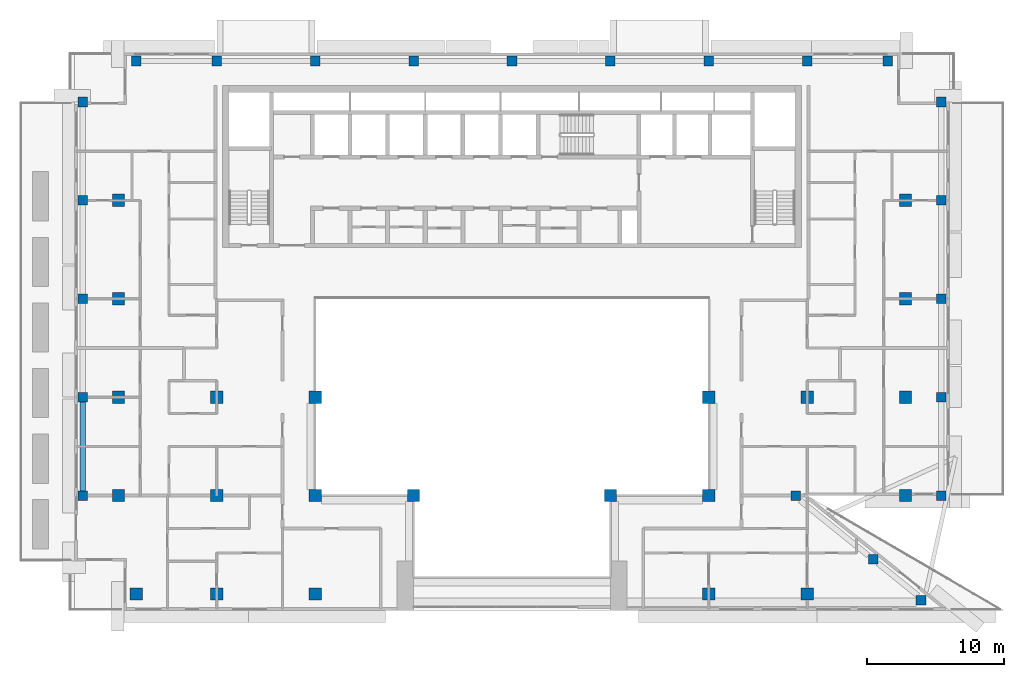
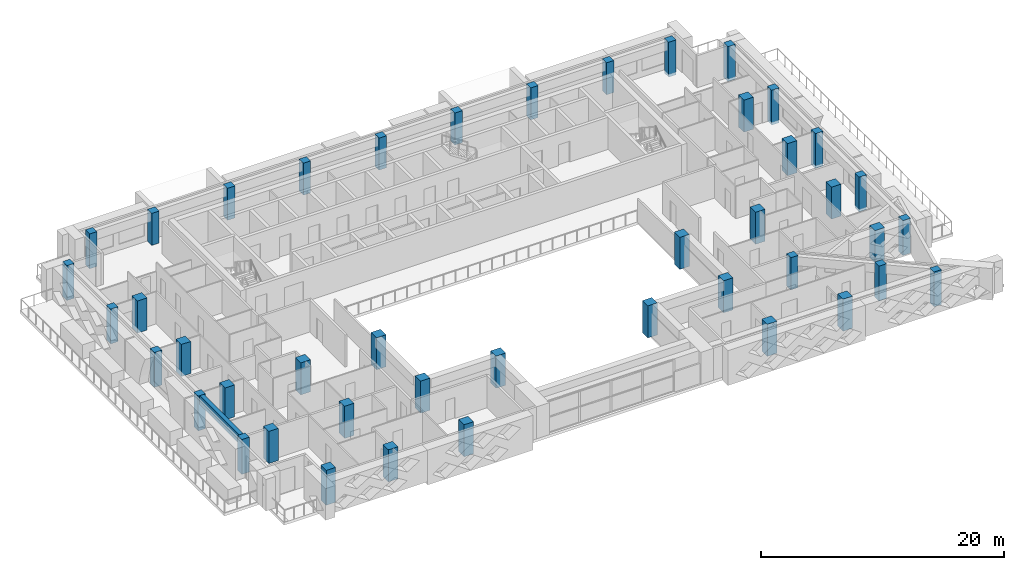
# One storey, part 1 of 19: 44 columns, 1 beam.
"""IFC4 building model written with IfcOpenShell, lengths in metres."""

import ifcopenshell
import ifcopenshell.guid

model = None  # the IFC model being written
_history = None  # IfcOwnerHistory: only IFC2X3 demands one
_inside = {}  # id of a spatial element -> (the spatial element, [elements in it])
_under = {}  # id of a project, library or spatial element -> (it, [spatial elements below it])
_declared = {}  # id of a project -> (the project, [libraries it declares])
_typed = {}  # id of a type object -> (the type object, [elements of that type])
_made_of = {}  # id of a material, layer set ... -> (it, [elements and type objects made of it])


def new_model(schema):
    """Start an empty IFC model of exactly this schema.

    Asked for "IFC4X3", IfcOpenShell would pick the latest addendum, in which some entities
    have other attributes; the version numbers below select the first issue.
    IFC2X3 requires an IfcOwnerHistory on every rooted entity: one is made here for all.
    """
    global model, _history
    if schema == "IFC4X3":
        model = ifcopenshell.file(schema_version=(4, 3, 0, 0))
    else:
        model = ifcopenshell.file(schema=schema)
    _inside.clear()
    _under.clear()
    _declared.clear()
    _typed.clear()
    _made_of.clear()
    _history = None
    if model.schema == "IFC2X3":
        org = make("IfcOrganization", Name="unknown")
        user = make(
            "IfcPersonAndOrganization",
            ThePerson=make("IfcPerson", FamilyName="unknown"),
            TheOrganization=org,
        )
        app = make(
            "IfcApplication",
            ApplicationDeveloper=org,
            Version="unknown",
            ApplicationFullName="unknown",
            ApplicationIdentifier="unknown",
        )
        _history = make(
            "IfcOwnerHistory",
            OwningUser=user,
            OwningApplication=app,
            ChangeAction="ADDED",
            CreationDate=0,
        )
    return model


def make(cls, **values):
    """One entity of the class cls with the attributes given. An attribute that is None is left unset."""
    return model.create_entity(
        cls, **{name: value for name, value in values.items() if value is not None}
    )


def rooted(cls, **values):
    """An entity with a GlobalId (a new one), such as an element, a storey or a relation."""
    return make(cls, GlobalId=ifcopenshell.guid.new(), OwnerHistory=_history, **values)


def si_unit(unit_type, name, prefix=None):
    """IfcSIUnit, for example si_unit("LENGTHUNIT", "METRE", prefix="MILLI")."""
    return make("IfcSIUnit", UnitType=unit_type, Prefix=prefix, Name=name)


def assignment(units):
    """IfcUnitAssignment: the units of a project."""
    return None if units is None else make("IfcUnitAssignment", Units=units)


def point(xyz):
    """IfcCartesianPoint."""
    return None if xyz is None else make("IfcCartesianPoint", Coordinates=xyz)


def direction(xyz):
    """IfcDirection."""
    return None if xyz is None else make("IfcDirection", DirectionRatios=xyz)


def frame(location, z_axis=None, x_axis=None):
    """IfcAxis2Placement3D, a coordinate frame: its origin and axes. An axis left out is left unset."""
    return make(
        "IfcAxis2Placement3D",
        Location=point(location),
        Axis=direction(z_axis),
        RefDirection=direction(x_axis),
    )


def frame_2d(location, x_axis=None):
    """IfcAxis2Placement2D, a coordinate frame in the plane: its origin and x axis."""
    return make(
        "IfcAxis2Placement2D", Location=point(location), RefDirection=direction(x_axis)
    )


def origin():
    """The frame at (0, 0, 0) with its axes left unset."""
    return frame((0.0, 0.0, 0.0))


def origin_2d():
    """The frame at (0, 0) in the plane with its x axis left unset."""
    return frame_2d((0.0, 0.0))


def place(relative_to, where):
    """IfcLocalPlacement: puts the frame where relative to a parent placement (None: the world)."""
    return make(
        "IfcLocalPlacement", PlacementRelTo=relative_to, RelativePlacement=where
    )


def context(
    kind, dimensions, precision=None, world=None, true_north=None, identifier=None
):
    """IfcGeometricRepresentationContext, for example the 3D "Model" context."""
    return make(
        "IfcGeometricRepresentationContext",
        ContextIdentifier=identifier,
        ContextType=kind,
        CoordinateSpaceDimension=dimensions,
        Precision=precision,
        WorldCoordinateSystem=world,
        TrueNorth=true_north,
    )


def subcontext(parent, identifier, kind, view, scale=None):
    """IfcGeometricRepresentationSubContext, for example "Body" below "Model"."""
    return make(
        "IfcGeometricRepresentationSubContext",
        ContextIdentifier=identifier,
        ContextType=kind,
        ParentContext=parent,
        TargetScale=scale,
        TargetView=view,
    )


def project(units=None, contexts=None):
    """IfcProject with its units and contexts."""
    return rooted(
        "IfcProject",
        Name="project",
        RepresentationContexts=contexts,
        UnitsInContext=assignment(units),
    )


def spatial(cls, under=None, at=None, **own):
    """A site, building, storey or space (cls), placed at a placement, below another one or the project."""
    s = rooted(cls, ObjectPlacement=at, **own)
    if under is not None:
        _under.setdefault(under.id(), (under, []))[1].append(s)
    return s


def profile(cls, at=None, kind="AREA", **sizes):
    """A parametric profile (cls). Its sizes go by their IFC names, for example OverallWidth=200.0."""
    return make(cls, ProfileType=kind, Position=at, **sizes)


def rectangle(**sizes):
    """IfcRectangleProfileDef."""
    return profile("IfcRectangleProfileDef", **sizes)


def extrude(swept, where, along, depth):
    """IfcExtrudedAreaSolid: the profile swept, set in the frame where, extruded along a direction by depth."""
    return make(
        "IfcExtrudedAreaSolid",
        SweptArea=swept,
        Position=where,
        ExtrudedDirection=direction(along),
        Depth=depth,
    )


def shape(context_of_items, identifier, shape_type, items):
    """IfcShapeRepresentation: the items that make up one representation, for example the "Body"."""
    return make(
        "IfcShapeRepresentation",
        ContextOfItems=context_of_items,
        RepresentationIdentifier=identifier,
        RepresentationType=shape_type,
        Items=items,
    )


def source(mapping_origin, context_of_items, identifier, shape_type, items):
    """IfcRepresentationMap: a shape defined once, which mapped items show again and again."""
    return make(
        "IfcRepresentationMap",
        MappingOrigin=mapping_origin,
        MappedRepresentation=shape(context_of_items, identifier, shape_type, items),
    )


def transform(
    local_origin,
    x_axis=None,
    y_axis=None,
    z_axis=None,
    scale=None,
    scale2=None,
    scale3=None,
    uniform=True,
):
    """IfcCartesianTransformationOperator3D, or its non-uniform kind. x_axis, y_axis, z_axis: its Axis1, 2, 3."""
    if uniform:
        return make(
            "IfcCartesianTransformationOperator3D",
            Axis1=direction(x_axis),
            Axis2=direction(y_axis),
            LocalOrigin=point(local_origin),
            Scale=scale,
            Axis3=direction(z_axis),
        )
    return make(
        "IfcCartesianTransformationOperator3DnonUniform",
        Axis1=direction(x_axis),
        Axis2=direction(y_axis),
        LocalOrigin=point(local_origin),
        Scale=scale,
        Axis3=direction(z_axis),
        Scale2=scale2,
        Scale3=scale3,
    )


def mapped(mapping_source, mapping_target):
    """IfcMappedItem: shows the shape of a source again, moved by a transform."""
    return make(
        "IfcMappedItem", MappingSource=mapping_source, MappingTarget=mapping_target
    )


def material(Name=None, Category=None):
    """IfcMaterial."""
    return make("IfcMaterial", Name=Name, Category=Category)


def material_profile(
    of_material, cross_section, Name=None, Category=None, Priority=None
):
    """IfcMaterialProfile: a cross section and its material."""
    return make(
        "IfcMaterialProfile",
        Name=Name,
        Material=of_material,
        Profile=cross_section,
        Priority=Priority,
        Category=Category,
    )


def profile_set(profiles, Name=None, composite=None):
    """IfcMaterialProfileSet."""
    return make(
        "IfcMaterialProfileSet",
        Name=Name,
        MaterialProfiles=profiles,
        CompositeProfile=composite,
    )


def made_of(thing, what):
    """Note that an element or type object is made of a material, layer set ...; save() writes the relation."""
    if what is not None:
        _made_of.setdefault(what.id(), (what, []))[1].append(thing)
    return thing


def type_object(cls, material=None, **own):
    """A type object (cls), such as IfcWallType, which elements share."""
    return made_of(rooted(cls, **own), material)


def element(
    cls,
    number,
    at=None,
    inside=None,
    cuts=None,
    type_object=None,
    material=None,
    context=None,
    identifier="Body",
    shape_type=None,
    held_by="IfcProductDefinitionShape",
    body=None,
    shapes=None,
    **own,
):
    """One element of the class cls, such as IfcWall. Its Tag is "e" and its number.

    at: its placement. inside: the storey or other place that contains it. cuts: it is an
    opening in that element (IfcRelVoidsElement). A single representation is given by context,
    identifier, shape_type and body (its items); several are given by shapes. held_by: the class
    of the entity that holds the representations. save() writes the other relations.
    """
    e = rooted(cls, Tag="e%d" % number, ObjectPlacement=at, **own)
    if body is not None:
        shapes = [shape(context, identifier, shape_type, body)]
    if shapes is not None:
        e.Representation = make(held_by, Representations=shapes)
    if inside is not None:
        _inside.setdefault(inside.id(), (inside, []))[1].append(e)
    if cuts is not None:
        rooted(
            "IfcRelVoidsElement", RelatingBuildingElement=cuts, RelatedOpeningElement=e
        )
    if type_object is not None:
        _typed.setdefault(type_object.id(), (type_object, []))[1].append(e)
    return made_of(e, material)


def aggregate(whole, parts):
    """IfcRelAggregates: a whole, such as a stair, and the parts it consists of."""
    return rooted("IfcRelAggregates", RelatingObject=whole, RelatedObjects=parts)


def save(model, path):
    """Write the relations noted so far, then the file.

    IfcRelAggregates (storeys below a building ...), IfcRelContainedInSpatialStructure (elements
    in a storey), IfcRelDefinesByType, IfcRelAssociatesMaterial and IfcRelDeclares: one each for
    every whole, place, type object, material and project.
    """
    for whole, parts in _under.values():
        aggregate(whole, parts)
    for where, things in _inside.values():
        rooted(
            "IfcRelContainedInSpatialStructure",
            RelatedElements=things,
            RelatingStructure=where,
        )
    for kind, things in _typed.values():
        rooted("IfcRelDefinesByType", RelatedObjects=things, RelatingType=kind)
    for what, things in _made_of.values():
        rooted("IfcRelAssociatesMaterial", RelatedObjects=things, RelatingMaterial=what)
    for by, libraries in _declared.values():
        rooted("IfcRelDeclares", RelatingContext=by, RelatedDefinitions=libraries)
    model.write(path)


model = new_model("IFC4")

# Units and contexts
model_context = context("Model", 3, precision=1e-05, world=origin(), true_north=direction((0.0, 1.0)))
body_context = subcontext(model_context, "Body", "Model", "MODEL_VIEW")
ifc_project = project(units=[si_unit("LENGTHUNIT", "METRE"), si_unit("AREAUNIT", "SQUARE_METRE"), si_unit("VOLUMEUNIT", "CUBIC_METRE"), si_unit("PLANEANGLEUNIT", "RADIAN"), si_unit("MASSUNIT", "GRAM", prefix="KILO")], contexts=[model_context])

# Site, building, storey
site_placement = place(None, origin())
site = spatial("IfcSite", under=ifc_project, at=site_placement, CompositionType="ELEMENT")
building_placement = place(site_placement, origin())
building = spatial("IfcBuilding", under=site, at=building_placement, Name="Saffron Iwan Residences", CompositionType="ELEMENT")
storey_placement = place(building_placement, frame((0.0, 0.0, 211.5)))
storey = spatial("IfcBuildingStorey", under=building, at=storey_placement, Name="L56", CompositionType="ELEMENT", Elevation=211.5)

# Columns
ifc_material = material(Name="Concrete C40/50", Category="concrete")
ifc_material_profile_1 = material_profile(ifc_material, rectangle(XDim=0.699951171875, YDim=0.699951171875, at=origin_2d()), Name="RC 700x700")
ifc_profile_set_1 = profile_set([ifc_material_profile_1], Name="Concrete C40/50")
column_type_1 = type_object("IfcColumnType", Name="COL RC 700x700 C40/50 3500 HIGH", PredefinedType="COLUMN", material=ifc_profile_set_1)
shared_shape_1 = source(origin(), body_context, "Body", "SweptSolid", [
    extrude(rectangle(XDim=0.699951171875, YDim=0.699951171875, at=origin_2d()), origin(), (0.0, 0.0, 1.0), 3.5),
])
for number, where, z_axis, x_axis, name in (
    (1, (80.32568359375, 40.3330078125, -0.280029296875), (0.0, 0.0, 1.0), (1.0, 0.0, 0.0), "Column C046"),
    (2, (76.822998046875, 43.333251953125, -0.280029296875), (0.0, 0.0, 1.0), (1.0, 0.0, 0.0), "Column C057"),
    (3, (19.0, 48.0, -0.280029296875), (0.0, 0.0, 1.0), (1.0, 0.0, 0.0), "Column C062"),
    (4, (81.800048828125, 48.0, -0.280029296875), (0.0, 0.0, 1.0), (1.0, 0.0, 0.0), "Column C073"),
    (5, (19.0, 55.199951171875, -0.280029296875), (0.0, 0.0, 1.0), (1.0, 0.0, 0.0), "Column C078"),
    (6, (81.800048828125, 55.199951171875, -0.280029296875), (0.0, 0.0, 1.0), (1.0, 0.0, 0.0), "Column C085"),
    (7, (19.0, 62.39990234375, -0.280029296875), (0.0, 0.0, 1.0), (1.0, 0.0, 0.0), "Column C090"),
    (8, (81.800048828125, 62.39990234375, -0.280029296875), (0.0, 0.0, 1.0), (1.0, 0.0, 0.0), "Column C093"),
    (9, (19.0, 69.60009765625, -0.280029296875), (0.0, 0.0, 1.0), (1.0, 0.0, 0.0), "Column C098"),
    (10, (81.800048828125, 69.60009765625, -0.280029296875), (0.0, 0.0, 1.0), (1.0, 0.0, 0.0), "Column C101"),
    (11, (19.0, 76.800048828125, -0.280029296875), (0.0, 0.0, 1.0), (1.0, 0.0, 0.0), "Column C106"),
    (12, (81.800048828125, 76.800048828125, -0.280029296875), (0.0, 0.0, 1.0), (1.0, 0.0, 0.0), "Column C109"),
    (13, (22.89990234375, 79.800048828125, -0.280029296875), (0.0, 0.0, 1.0), (1.0, 0.0, 0.0), "Column C114"),
    (14, (77.89990234375, 79.800048828125, -0.280029296875), (0.0, 0.0, 1.0), (1.0, 0.0, 0.0), "Column C122"),
):
    element("IfcColumn", number, at=place(storey_placement, frame(where, z_axis=z_axis, x_axis=x_axis)), inside=storey, type_object=column_type_1, Name=name, PredefinedType="COLUMN", context=body_context, shape_type="MappedRepresentation", body=[
        mapped(shared_shape_1, transform((0.0, 0.0, 0.0))),
    ])
ifc_material_profile_2 = material_profile(ifc_material, rectangle(XDim=0.89990234375, YDim=0.89990234375, at=origin_2d()), Name="RC 900x900")
ifc_profile_set_2 = profile_set([ifc_material_profile_2], Name="Concrete C40/50")
column_type_2 = type_object("IfcColumnType", Name="COL RC 900x900 C40/50 3500 HIGH", PredefinedType="COLUMN", material=ifc_profile_set_2)
shared_shape_2 = source(origin(), body_context, "Body", "SweptSolid", [
    extrude(rectangle(XDim=0.89990234375, YDim=0.89990234375, at=origin_2d()), origin(), (0.0, 0.0, 1.0), 3.5),
])
column_placement = place(storey_placement, frame((22.89990234375, 40.800048828125, -0.280029296875), z_axis=(0.0, 0.0, 1.0), x_axis=(1.0, 0.0, 0.0)))
element("IfcColumn", 15, at=column_placement, inside=storey, type_object=column_type_2, Name="Column C050", PredefinedType="COLUMN", context=body_context, shape_type="MappedRepresentation", body=[
    mapped(shared_shape_2, transform((0.0, 0.0, 0.0))),
])
ifc_material_profile_3 = material_profile(ifc_material, rectangle(XDim=0.89990234375, YDim=0.89990234375, at=origin_2d()), Name="RC 900x900")
ifc_profile_set_3 = profile_set([ifc_material_profile_3], Name="Concrete C40/50")
column_type_3 = type_object("IfcColumnType", Name="COL RC 900x900 C40/50 3220 HIGH", PredefinedType="COLUMN", material=ifc_profile_set_3)
shared_shape_3 = source(origin(), body_context, "Body", "SweptSolid", [
    extrude(rectangle(XDim=0.89990234375, YDim=0.89990234375, at=origin_2d()), origin(), (0.0, 0.0, 1.0), 3.219970703125),
])
for number, where, z_axis, x_axis, name in (
    (16, (28.800048828125, 40.800048828125, 0.0), (0.0, 0.0, 1.0), (1.0, 0.0, 0.0), "Column C051"),
    (17, (36.0, 40.800048828125, 0.0), (0.0, 0.0, 1.0), (1.0, 0.0, 0.0), "Column C052"),
    (18, (64.800048828125, 40.800048828125, 0.0), (0.0, 0.0, 1.0), (1.0, 0.0, 0.0), "Column C055"),
    (19, (72.0, 40.800048828125, 0.0), (0.0, 0.0, 1.0), (1.0, 0.0, 0.0), "Column C056"),
    (20, (21.60009765625, 48.0, 0.0), (0.0, 0.0, 1.0), (1.0, 0.0, 0.0), "Column C063"),
    (21, (28.800048828125, 48.0, 0.0), (0.0, 0.0, 1.0), (1.0, 0.0, 0.0), "Column C064"),
    (22, (36.0, 48.0, 0.0), (0.0, 0.0, 1.0), (1.0, 0.0, 0.0), "Column C065"),
    (23, (43.199951171875, 48.0, 0.0), (0.0, 0.0, 1.0), (1.0, 0.0, 0.0), "Column C066"),
    (24, (57.60009765625, 48.0, 0.0), (0.0, 0.0, 1.0), (1.0, 0.0, 0.0), "Column C068"),
    (25, (64.800048828125, 48.0, 0.0), (0.0, 0.0, 1.0), (1.0, 0.0, 0.0), "Column C069"),
    (26, (79.199951171875, 48.0, 0.0), (0.0, 0.0, 1.0), (1.0, 0.0, 0.0), "Column C072"),
    (27, (21.60009765625, 55.199951171875, 0.0), (0.0, 0.0, 1.0), (1.0, 0.0, 0.0), "Column C079"),
    (28, (28.800048828125, 55.199951171875, 0.0), (0.0, 0.0, 1.0), (1.0, 0.0, 0.0), "Column C080"),
    (29, (36.0, 55.199951171875, 0.0), (0.0, 0.0, 1.0), (1.0, 0.0, 0.0), "Column C081"),
    (30, (64.800048828125, 55.199951171875, 0.0), (0.0, 0.0, 1.0), (1.0, 0.0, 0.0), "Column C082"),
    (31, (72.0, 55.199951171875, 0.0), (0.0, 0.0, 1.0), (1.0, 0.0, 0.0), "Column C083"),
    (32, (79.199951171875, 55.199951171875, 0.0), (0.0, 0.0, 1.0), (1.0, 0.0, 0.0), "Column C084"),
    (33, (21.60009765625, 62.39990234375, 0.0), (0.0, 0.0, 1.0), (1.0, 0.0, 0.0), "Column C091"),
    (34, (79.199951171875, 62.39990234375, 0.0), (0.0, 0.0, 1.0), (1.0, 0.0, 0.0), "Column C092"),
    (35, (21.60009765625, 69.60009765625, 0.0), (0.0, 0.0, 1.0), (1.0, 0.0, 0.0), "Column C099"),
    (36, (79.199951171875, 69.60009765625, 0.0), (0.0, 0.0, 1.0), (1.0, 0.0, 0.0), "Column C100"),
):
    element("IfcColumn", number, at=place(storey_placement, frame(where, z_axis=z_axis, x_axis=x_axis)), inside=storey, type_object=column_type_3, Name=name, PredefinedType="COLUMN", context=body_context, shape_type="MappedRepresentation", body=[
        mapped(shared_shape_3, transform((0.0, 0.0, 0.0))),
    ])
ifc_material_profile_4 = material_profile(ifc_material, rectangle(XDim=0.699951171875, YDim=0.699951171875, at=origin_2d()), Name="RC 700x700")
ifc_profile_set_4 = profile_set([ifc_material_profile_4], Name="Concrete C40/50")
column_type_4 = type_object("IfcColumnType", Name="COL RC 700x700 C40/50 3220 HIGH", PredefinedType="COLUMN", material=ifc_profile_set_4)
shared_shape_4 = source(origin(), body_context, "Body", "SweptSolid", [
    extrude(rectangle(XDim=0.699951171875, YDim=0.699951171875, at=origin_2d()), origin(), (0.0, 0.0, 1.0), 3.219970703125),
])
for number, where, z_axis, x_axis, name in (
    (37, (71.14990234375, 48.0, 0.0), (0.0, 0.0, 1.0), (1.0, 0.0, 0.0), "Column C070"),
    (38, (28.800048828125, 79.800048828125, 0.0), (0.0, 0.0, 1.0), (1.0, 0.0, 0.0), "Column C115"),
    (39, (36.0, 79.800048828125, 0.0), (0.0, 0.0, 1.0), (1.0, 0.0, 0.0), "Column C116"),
    (40, (43.199951171875, 79.800048828125, 0.0), (0.0, 0.0, 1.0), (1.0, 0.0, 0.0), "Column C117"),
    (41, (50.39990234375, 79.800048828125, 0.0), (0.0, 0.0, 1.0), (1.0, 0.0, 0.0), "Column C118"),
    (42, (57.60009765625, 79.800048828125, 0.0), (0.0, 0.0, 1.0), (1.0, 0.0, 0.0), "Column C119"),
    (43, (64.800048828125, 79.800048828125, 0.0), (0.0, 0.0, 1.0), (1.0, 0.0, 0.0), "Column C120"),
    (44, (72.0, 79.800048828125, 0.0), (0.0, 0.0, 1.0), (1.0, 0.0, 0.0), "Column C121"),
):
    element("IfcColumn", number, at=place(storey_placement, frame(where, z_axis=z_axis, x_axis=x_axis)), inside=storey, type_object=column_type_4, Name=name, PredefinedType="COLUMN", context=body_context, shape_type="MappedRepresentation", body=[
        mapped(shared_shape_4, transform((0.0, 0.0, 0.0))),
    ])

# Beam
ifc_material_profile_5 = material_profile(ifc_material, rectangle(XDim=0.39990234375, YDim=0.89990234375, at=origin_2d()), Name="RC 400x900")
ifc_profile_set_5 = profile_set([ifc_material_profile_5], Name="Concrete C40/50")
beam_type = type_object("IfcBeamType", Name="SPANDREL BEAM RC 400x900 C40/50 TOP 3220", PredefinedType="SPANDREL", material=ifc_profile_set_5)
shared_shape_5 = source(origin(), body_context, "Body", "SweptSolid", [
    extrude(rectangle(XDim=0.39990234375, YDim=0.89990234375, at=origin_2d()), origin(), (0.0, 0.0, 1.0), 6.5),
])
beam_placement = place(storey_placement, frame((19.0, 48.35009765625, 2.77001953125), z_axis=(0.0, 1.0, 0.0), x_axis=(-1.0, 0.0, 0.0)))
element("IfcBeam", 45, at=beam_placement, inside=storey, type_object=beam_type, Name="Spandrel beam", PredefinedType="SPANDREL", context=body_context, shape_type="MappedRepresentation", body=[
    mapped(shared_shape_5, transform((0.0, 0.0, 0.0))),
])

save(model, "model.ifc")
